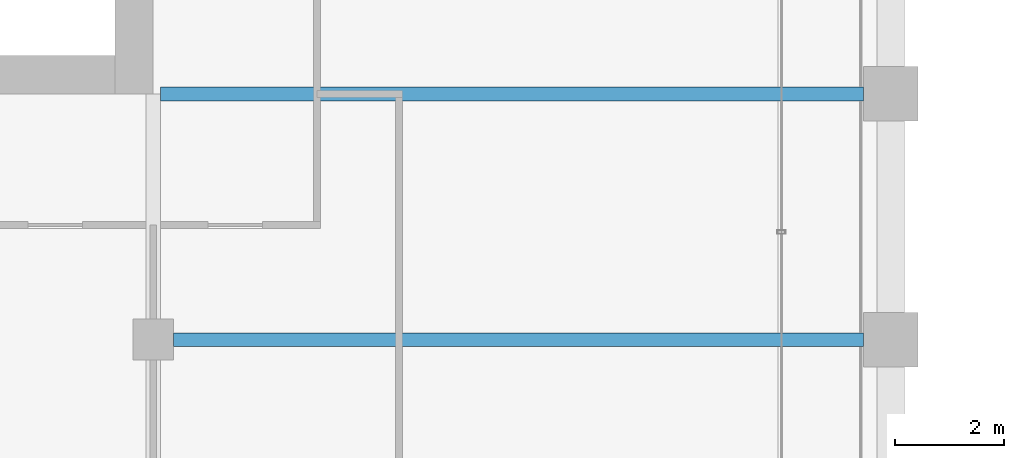
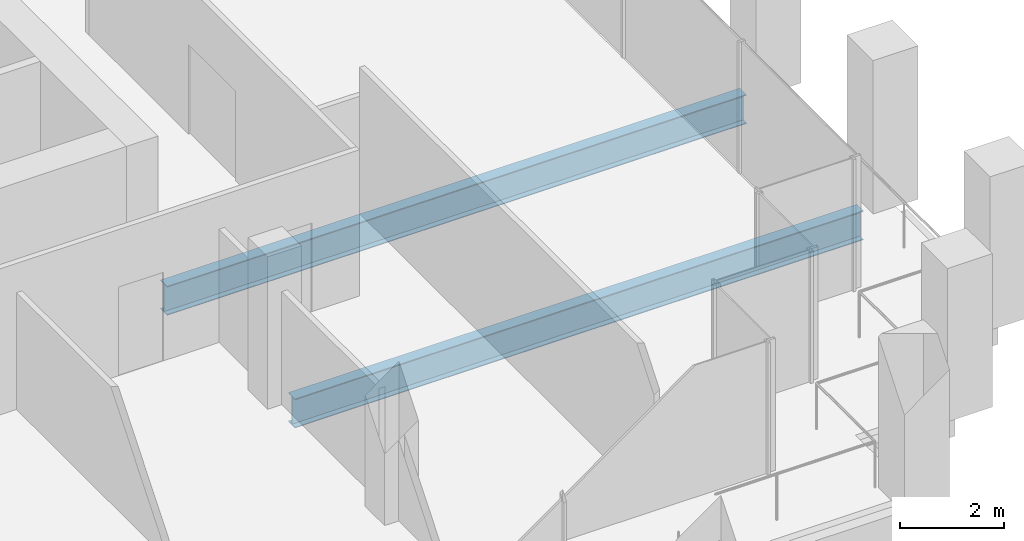
# One storey, part 14 of 46: 2 beams.
"""IFC4 building model written with IfcOpenShell, lengths in metres."""

from ifc_helpers import new_model, si_unit, direction, frame, origin, origin_2d, place, context, subcontext, project, spatial, i_section, extrude, material, material_profile, profile_set, type_object, element, save


model = new_model("IFC4")

# Units and contexts
model_context = context("Model", 3, precision=1e-05, world=origin(), true_north=direction((0.0, 1.0)))
body_context = subcontext(model_context, "Body", "Model", "MODEL_VIEW")
ifc_project = project(units=[si_unit("LENGTHUNIT", "METRE"), si_unit("AREAUNIT", "SQUARE_METRE"), si_unit("VOLUMEUNIT", "CUBIC_METRE"), si_unit("PLANEANGLEUNIT", "RADIAN"), si_unit("MASSUNIT", "GRAM", prefix="KILO")], contexts=[model_context])

# Site, building, storey
site_placement = place(None, origin())
site = spatial("IfcSite", under=ifc_project, at=site_placement, CompositionType="ELEMENT")
building_placement = place(site_placement, origin())
building = spatial("IfcBuilding", under=site, at=building_placement, Name="Altepetl Exchange Towers", CompositionType="ELEMENT")
storey_placement = place(building_placement, frame((0.0, 0.0, 124.39990234375)))
storey = spatial("IfcBuildingStorey", under=building, at=storey_placement, Name="L30", CompositionType="ELEMENT", Elevation=124.39990234375)

# Beams
ifc_material = material(Name="Steel S355", Category="steel")
ifc_material_profile = material_profile(ifc_material, i_section(OverallWidth=0.25390625, OverallDepth=0.68408203125, WebThickness=0.012451171875, FlangeThickness=0.018798828125, at=origin_2d()), Name="W27X94")
ifc_profile_set = profile_set([ifc_material_profile], Name="Steel S355")
beam_type = type_object("IfcBeamType", Name="Floor beam W27X94", PredefinedType="BEAM", material=ifc_profile_set)
beam_1_placement = place(storey_placement, frame((58.875, 36.0, -0.491943359375), z_axis=(1.0, 0.0, 0.0), x_axis=(0.0, 1.0, 0.0)))
element("IfcBeam", 1, at=beam_1_placement, inside=storey, type_object=beam_type, Name="bm:A:L30:007", PredefinedType="BEAM", context=body_context, shape_type="SweptSolid", body=[
    extrude(i_section(OverallWidth=0.25390625, OverallDepth=0.68408203125, WebThickness=0.012451171875, FlangeThickness=0.018798828125, at=origin_2d()), origin(), (0.0, 0.0, 1.0), 12.625),
])
beam_2_placement = place(storey_placement, frame((58.634033203125, 40.5, -0.491943359375), z_axis=(1.0, 0.0, 0.0), x_axis=(0.0, 1.0, 0.0)))
element("IfcBeam", 2, at=beam_2_placement, inside=storey, type_object=beam_type, Name="bm:A:L30:008", PredefinedType="BEAM", context=body_context, shape_type="SweptSolid", body=[
    extrude(i_section(OverallWidth=0.25390625, OverallDepth=0.68408203125, WebThickness=0.012451171875, FlangeThickness=0.018798828125, at=origin_2d()), origin(), (0.0, 0.0, 1.0), 12.865966796875),
])

save(model, "model.ifc")
